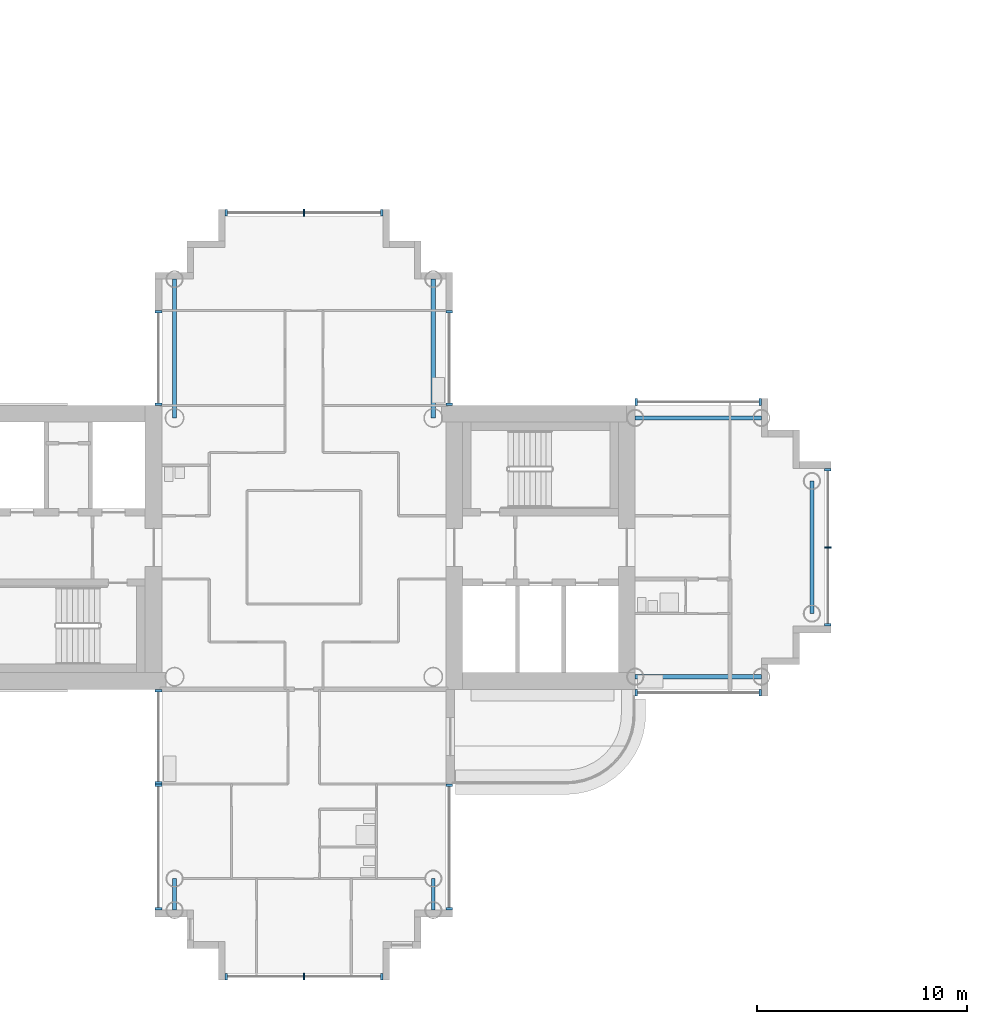
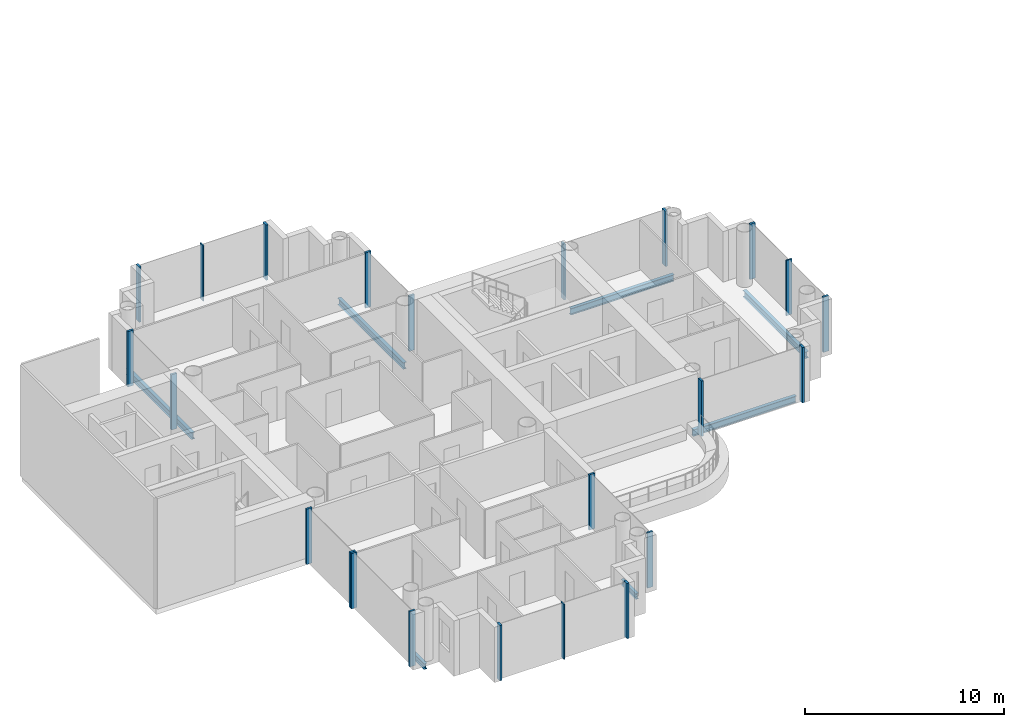
# One storey, part 3 of 19: 23 members, 7 beams, 10 elements without a shape of their own.
"""IFC4 building model written with IfcOpenShell, lengths in metres."""

from ifc_helpers import new_model, si_unit, direction, frame, origin, origin_2d, place, context, subcontext, project, spatial, rectangle, i_section, extrude, material, layer, layer_set, material_profile, profile_set, type_object, element, aggregate, save


model = new_model("IFC4")

# Units and contexts
model_context = context("Model", 3, precision=1e-05, world=origin(), true_north=direction((0.0, 1.0)))
body_context = subcontext(model_context, "Body", "Model", "MODEL_VIEW")
ifc_project = project(units=[si_unit("LENGTHUNIT", "METRE"), si_unit("AREAUNIT", "SQUARE_METRE"), si_unit("VOLUMEUNIT", "CUBIC_METRE"), si_unit("PLANEANGLEUNIT", "RADIAN"), si_unit("MASSUNIT", "GRAM", prefix="KILO")], contexts=[model_context])

# Site, building, storey
site_placement = place(None, origin())
site = spatial("IfcSite", under=ifc_project, at=site_placement, CompositionType="ELEMENT")
building_placement = place(site_placement, origin())
building = spatial("IfcBuilding", under=site, at=building_placement, Name="Ipe Terrace Towers", CompositionType="ELEMENT")
storey_placement = place(building_placement, frame((0.0, 0.0, 140.5)))
storey = spatial("IfcBuildingStorey", under=building, at=storey_placement, Name="L38", CompositionType="ELEMENT", Elevation=140.5)

# Beams
ifc_material_1 = material(Name="Steel S355", Category="steel")
ifc_material_profile_1 = material_profile(ifc_material_1, i_section(OverallWidth=0.175048828125, OverallDepth=0.35009765625, WebThickness=0.007080078125, FlangeThickness=0.010986328125, at=origin_2d()), Name="H-350x175x7x11")
ifc_profile_set_1 = profile_set([ifc_material_profile_1], Name="Steel S355")
beam_type_1 = type_object("IfcBeamType", Name="H04 EDGE BEAM H-350x175x7x11", PredefinedType="BEAM", material=ifc_profile_set_1)
for number, where, z_axis, x_axis, name in (
    (1, (-42.14990234375, -15.75, -0.574951171875), (0.0, -1.0, 0.0), (1.0, 0.0, 0.0), "Edge beam T1-EB-D03-D05"),
    (2, (-29.85009765625, -15.75, -0.574951171875), (0.0, -1.0, 0.0), (1.0, 0.0, 0.0), "Edge beam T1-EB-D04-D06"),
):
    element("IfcBeam", number, at=place(storey_placement, frame(where, z_axis=z_axis, x_axis=x_axis)), inside=storey, type_object=beam_type_1, Name=name, PredefinedType="BEAM", context=body_context, shape_type="SweptSolid", body=[
        extrude(i_section(OverallWidth=0.175048828125, OverallDepth=0.35009765625, WebThickness=0.007080078125, FlangeThickness=0.010986328125, at=origin_2d()), origin(), (0.0, 0.0, 1.0), 1.5),
    ])
ifc_material_2 = material(Name="Steel S355", Category="steel")
ifc_material_profile_2 = material_profile(ifc_material_2, i_section(OverallWidth=0.199951171875, OverallDepth=0.39990234375, WebThickness=0.008056640625, FlangeThickness=0.012939453125, at=origin_2d()), Name="H-400x200x8x13")
ifc_profile_set_2 = profile_set([ifc_material_profile_2], Name="Steel S355")
beam_type_2 = type_object("IfcBeamType", Name="H06 EDGE BEAM H-400x200x8x13", PredefinedType="BEAM", material=ifc_profile_set_2)
for number, where, z_axis, x_axis, name in (
    (3, (-20.25, -6.14990234375, -0.60009765625), (1.0, 0.0, 0.0), (0.0, 1.0, 0.0), "Edge beam T1-EB-A01-A03"),
    (4, (-20.25, 6.14990234375, -0.60009765625), (1.0, 0.0, 0.0), (0.0, 1.0, 0.0), "Edge beam T1-EB-A02-A04"),
):
    element("IfcBeam", number, at=place(storey_placement, frame(where, z_axis=z_axis, x_axis=x_axis)), inside=storey, type_object=beam_type_2, Name=name, PredefinedType="BEAM", context=body_context, shape_type="SweptSolid", body=[
        extrude(i_section(OverallWidth=0.199951171875, OverallDepth=0.39990234375, WebThickness=0.008056640625, FlangeThickness=0.012939453125, at=origin_2d()), origin(), (0.0, 0.0, 1.0), 6.0),
    ])
beam_placement = place(storey_placement, frame((-11.85009765625, -3.14990234375, -0.60009765625), z_axis=(0.0, 1.0, 0.0), x_axis=(-1.0, 0.0, 0.0)))
element("IfcBeam", 5, at=beam_placement, inside=storey, type_object=beam_type_2, Name="Edge beam T1-EB-A05-A06", PredefinedType="BEAM", context=body_context, shape_type="SweptSolid", body=[
    extrude(i_section(OverallWidth=0.199951171875, OverallDepth=0.39990234375, WebThickness=0.008056640625, FlangeThickness=0.012939453125, at=origin_2d()), origin(), (0.0, 0.0, 1.0), 6.2998046875),
])
for number, where, z_axis, x_axis, name in (
    (6, (-29.85009765625, 12.75, -0.60009765625), (0.0, -1.0, 0.0), (1.0, 0.0, 0.0), "Edge beam T1-EB-B01-E03"),
    (7, (-42.14990234375, 12.75, -0.60009765625), (0.0, -1.0, 0.0), (1.0, 0.0, 0.0), "Edge beam T1-EB-B02-E04"),
):
    element("IfcBeam", number, at=place(storey_placement, frame(where, z_axis=z_axis, x_axis=x_axis)), inside=storey, type_object=beam_type_2, Name=name, PredefinedType="BEAM", context=body_context, shape_type="SweptSolid", body=[
        extrude(i_section(OverallWidth=0.199951171875, OverallDepth=0.39990234375, WebThickness=0.008056640625, FlangeThickness=0.012939453125, at=origin_2d()), origin(), (0.0, 0.0, 1.0), 6.60009765625),
    ])

# Curtain wall, members
ifc_material_3 = material(Name="Aluminium alloy 6063-T6", Category="aluminium")
ifc_layer = layer(ifc_material_3, 0.320068359375)
ifc_layer_set = layer_set([ifc_layer], Name="TOWER UNITISED CURTAIN WALL")
curtain_wall_type = type_object("IfcCurtainWallType", Name="TOWER UNITISED CURTAIN WALL", PredefinedType="NOTDEFINED", material=ifc_layer_set)
curtain_wall_1_placement = place(storey_placement, origin())
curtain_wall_1 = element("IfcCurtainWall", 8, at=curtain_wall_1_placement, inside=storey, type_object=curtain_wall_type, Name="T1-CW-L38-02a curtain wall", PredefinedType="NOTDEFINED")
ifc_material_4 = material(Name="Aluminium alloy 6063-T6", Category="aluminium")
ifc_material_profile_3 = material_profile(ifc_material_4, rectangle(XDim=0.320068359375, YDim=0.1201171875, at=origin_2d()), Name="TOWER UNITISED CORNER MULLION 320 x 120")
ifc_profile_set_3 = profile_set([ifc_material_profile_3], Name="Aluminium alloy 6063-T6")
member_type_1 = type_object("IfcMemberType", Name="TOWER UNITISED CORNER MULLION 320 x 120", PredefinedType="MULLION", material=ifc_profile_set_3)
member_1_placement = place(storey_placement, frame((-42.909912109375, -6.81005859375, -0.300048828125), z_axis=(0.0, 0.0, 1.0), x_axis=(-1.0, 0.0, 0.0)))
member_1 = element("IfcMember", 9, at=member_1_placement, type_object=member_type_1, Name="T1-CW-L38-02a mullion 1", PredefinedType="MULLION", context=body_context, shape_type="SweptSolid", body=[
    extrude(rectangle(XDim=0.320068359375, YDim=0.1201171875, at=origin_2d()), origin(), (0.0, 0.0, 1.0), 3.400146484375),
])
member_2_placement = place(storey_placement, frame((-42.909912109375, -11.18994140625, -0.300048828125), z_axis=(0.0, 0.0, 1.0), x_axis=(-1.0, 0.0, 0.0)))
member_2 = element("IfcMember", 10, at=member_2_placement, type_object=member_type_1, Name="T1-CW-L38-02a mullion 2", PredefinedType="MULLION", context=body_context, shape_type="SweptSolid", body=[
    extrude(rectangle(XDim=0.320068359375, YDim=0.1201171875, at=origin_2d()), origin(), (0.0, 0.0, 1.0), 3.400146484375),
])
aggregate(curtain_wall_1, [member_1, member_2])

curtain_wall_2_placement = place(storey_placement, origin())
curtain_wall_2 = element("IfcCurtainWall", 11, at=curtain_wall_2_placement, inside=storey, type_object=curtain_wall_type, Name="T1-CW-L38-03a curtain wall", PredefinedType="NOTDEFINED")
member_3_placement = place(storey_placement, frame((-42.909912109375, -11.31005859375, -0.300048828125), z_axis=(0.0, 0.0, 1.0), x_axis=(-1.0, 0.0, 0.0)))
member_3 = element("IfcMember", 12, at=member_3_placement, type_object=member_type_1, Name="T1-CW-L38-03a mullion 1", PredefinedType="MULLION", context=body_context, shape_type="SweptSolid", body=[
    extrude(rectangle(XDim=0.320068359375, YDim=0.1201171875, at=origin_2d()), origin(), (0.0, 0.0, 1.0), 3.400146484375),
])
member_4_placement = place(storey_placement, frame((-42.909912109375, -17.18994140625, -0.300048828125), z_axis=(0.0, 0.0, 1.0), x_axis=(-1.0, 0.0, 0.0)))
member_4 = element("IfcMember", 13, at=member_4_placement, type_object=member_type_1, Name="T1-CW-L38-03a mullion 2", PredefinedType="MULLION", context=body_context, shape_type="SweptSolid", body=[
    extrude(rectangle(XDim=0.320068359375, YDim=0.1201171875, at=origin_2d()), origin(), (0.0, 0.0, 1.0), 3.400146484375),
])
aggregate(curtain_wall_2, [member_3, member_4])

curtain_wall_3_placement = place(storey_placement, origin())
curtain_wall_3 = element("IfcCurtainWall", 14, at=curtain_wall_3_placement, inside=storey, type_object=curtain_wall_type, Name="T1-CW-L38-08a curtain wall", PredefinedType="NOTDEFINED")
member_5_placement = place(storey_placement, frame((-39.68994140625, -20.409912109375, -0.300048828125), z_axis=(0.0, 0.0, 1.0), x_axis=(0.0, -1.0, 0.0)))
member_5 = element("IfcMember", 15, at=member_5_placement, type_object=member_type_1, Name="T1-CW-L38-08a mullion 1", PredefinedType="MULLION", context=body_context, shape_type="SweptSolid", body=[
    extrude(rectangle(XDim=0.320068359375, YDim=0.1201171875, at=origin_2d()), origin(), (0.0, 0.0, 1.0), 3.400146484375),
])
member_6_placement = place(storey_placement, frame((-32.31005859375, -20.409912109375, -0.300048828125), z_axis=(0.0, 0.0, 1.0), x_axis=(0.0, -1.0, 0.0)))
member_6 = element("IfcMember", 16, at=member_6_placement, type_object=member_type_1, Name="T1-CW-L38-08a mullion 3", PredefinedType="MULLION", context=body_context, shape_type="SweptSolid", body=[
    extrude(rectangle(XDim=0.320068359375, YDim=0.1201171875, at=origin_2d()), origin(), (0.0, 0.0, 1.0), 3.400146484375),
])

curtain_wall_4_placement = place(storey_placement, origin())
curtain_wall_4 = element("IfcCurtainWall", 17, at=curtain_wall_4_placement, inside=storey, type_object=curtain_wall_type, Name="T1-CW-L38-13a curtain wall", PredefinedType="NOTDEFINED")
member_7_placement = place(storey_placement, frame((-29.090087890625, -17.18994140625, -0.300048828125), z_axis=(0.0, 0.0, 1.0), x_axis=(1.0, 0.0, 0.0)))
member_7 = element("IfcMember", 18, at=member_7_placement, type_object=member_type_1, Name="T1-CW-L38-13a mullion 1", PredefinedType="MULLION", context=body_context, shape_type="SweptSolid", body=[
    extrude(rectangle(XDim=0.320068359375, YDim=0.1201171875, at=origin_2d()), origin(), (0.0, 0.0, 1.0), 3.400146484375),
])
member_8_placement = place(storey_placement, frame((-29.090087890625, -11.31005859375, -0.300048828125), z_axis=(0.0, 0.0, 1.0), x_axis=(1.0, 0.0, 0.0)))
member_8 = element("IfcMember", 19, at=member_8_placement, type_object=member_type_1, Name="T1-CW-L38-13a mullion 2", PredefinedType="MULLION", context=body_context, shape_type="SweptSolid", body=[
    extrude(rectangle(XDim=0.320068359375, YDim=0.1201171875, at=origin_2d()), origin(), (0.0, 0.0, 1.0), 3.400146484375),
])
aggregate(curtain_wall_4, [member_7, member_8])

curtain_wall_5_placement = place(storey_placement, origin())
curtain_wall_5 = element("IfcCurtainWall", 20, at=curtain_wall_5_placement, inside=storey, type_object=curtain_wall_type, Name="T1-CW-L38-16b curtain wall", PredefinedType="NOTDEFINED")
member_9_placement = place(storey_placement, frame((-20.18896484375, -6.909912109375, -0.300048828125), z_axis=(0.0, 0.0, 1.0), x_axis=(0.0, -1.0, 0.0)))
member_9 = element("IfcMember", 21, at=member_9_placement, type_object=member_type_1, Name="T1-CW-L38-16b mullion 1", PredefinedType="MULLION", context=body_context, shape_type="SweptSolid", body=[
    extrude(rectangle(XDim=0.320068359375, YDim=0.1201171875, at=origin_2d()), origin(), (0.0, 0.0, 1.0), 3.400146484375),
])
member_10_placement = place(storey_placement, frame((-14.31005859375, -6.909912109375, -0.300048828125), z_axis=(0.0, 0.0, 1.0), x_axis=(0.0, -1.0, 0.0)))
member_10 = element("IfcMember", 22, at=member_10_placement, type_object=member_type_1, Name="T1-CW-L38-16b mullion 2", PredefinedType="MULLION", context=body_context, shape_type="SweptSolid", body=[
    extrude(rectangle(XDim=0.320068359375, YDim=0.1201171875, at=origin_2d()), origin(), (0.0, 0.0, 1.0), 3.400146484375),
])
aggregate(curtain_wall_5, [member_9, member_10])

curtain_wall_6_placement = place(storey_placement, origin())
curtain_wall_6 = element("IfcCurtainWall", 23, at=curtain_wall_6_placement, inside=storey, type_object=curtain_wall_type, Name="T1-CW-L38-21a curtain wall", PredefinedType="NOTDEFINED")
member_11_placement = place(storey_placement, frame((-11.090087890625, -3.68994140625, -0.300048828125), z_axis=(0.0, 0.0, 1.0), x_axis=(1.0, 0.0, 0.0)))
member_11 = element("IfcMember", 24, at=member_11_placement, type_object=member_type_1, Name="T1-CW-L38-21a mullion 1", PredefinedType="MULLION", context=body_context, shape_type="SweptSolid", body=[
    extrude(rectangle(XDim=0.320068359375, YDim=0.1201171875, at=origin_2d()), origin(), (0.0, 0.0, 1.0), 3.400146484375),
])
member_12_placement = place(storey_placement, frame((-11.090087890625, 3.68994140625, -0.300048828125), z_axis=(0.0, 0.0, 1.0), x_axis=(1.0, 0.0, 0.0)))
member_12 = element("IfcMember", 25, at=member_12_placement, type_object=member_type_1, Name="T1-CW-L38-21a mullion 3", PredefinedType="MULLION", context=body_context, shape_type="SweptSolid", body=[
    extrude(rectangle(XDim=0.320068359375, YDim=0.1201171875, at=origin_2d()), origin(), (0.0, 0.0, 1.0), 3.400146484375),
])

curtain_wall_7_placement = place(storey_placement, origin())
curtain_wall_7 = element("IfcCurtainWall", 26, at=curtain_wall_7_placement, inside=storey, type_object=curtain_wall_type, Name="T1-CW-L38-26a curtain wall", PredefinedType="NOTDEFINED")
member_13_placement = place(storey_placement, frame((-14.31005859375, 6.909912109375, -0.300048828125), z_axis=(0.0, 0.0, 1.0), x_axis=(0.0, 1.0, 0.0)))
member_13 = element("IfcMember", 27, at=member_13_placement, type_object=member_type_1, Name="T1-CW-L38-26a mullion 1", PredefinedType="MULLION", context=body_context, shape_type="SweptSolid", body=[
    extrude(rectangle(XDim=0.320068359375, YDim=0.1201171875, at=origin_2d()), origin(), (0.0, 0.0, 1.0), 3.400146484375),
])
member_14_placement = place(storey_placement, frame((-20.18896484375, 6.909912109375, -0.300048828125), z_axis=(0.0, 0.0, 1.0), x_axis=(0.0, 1.0, 0.0)))
member_14 = element("IfcMember", 28, at=member_14_placement, type_object=member_type_1, Name="T1-CW-L38-26a mullion 2", PredefinedType="MULLION", context=body_context, shape_type="SweptSolid", body=[
    extrude(rectangle(XDim=0.320068359375, YDim=0.1201171875, at=origin_2d()), origin(), (0.0, 0.0, 1.0), 3.400146484375),
])
aggregate(curtain_wall_7, [member_13, member_14])

curtain_wall_8_placement = place(storey_placement, origin())
curtain_wall_8 = element("IfcCurtainWall", 29, at=curtain_wall_8_placement, inside=storey, type_object=curtain_wall_type, Name="T1-CW-L38-28a curtain wall", PredefinedType="NOTDEFINED")
member_15_placement = place(storey_placement, frame((-29.090087890625, 6.81005859375, -0.300048828125), z_axis=(0.0, 0.0, 1.0), x_axis=(1.0, 0.0, 0.0)))
member_15 = element("IfcMember", 30, at=member_15_placement, type_object=member_type_1, Name="T1-CW-L38-28a mullion 1", PredefinedType="MULLION", context=body_context, shape_type="SweptSolid", body=[
    extrude(rectangle(XDim=0.320068359375, YDim=0.1201171875, at=origin_2d()), origin(), (0.0, 0.0, 1.0), 3.400146484375),
])
member_16_placement = place(storey_placement, frame((-29.090087890625, 11.18994140625, -0.300048828125), z_axis=(0.0, 0.0, 1.0), x_axis=(1.0, 0.0, 0.0)))
member_16 = element("IfcMember", 31, at=member_16_placement, type_object=member_type_1, Name="T1-CW-L38-28a mullion 2", PredefinedType="MULLION", context=body_context, shape_type="SweptSolid", body=[
    extrude(rectangle(XDim=0.320068359375, YDim=0.1201171875, at=origin_2d()), origin(), (0.0, 0.0, 1.0), 3.400146484375),
])
aggregate(curtain_wall_8, [member_15, member_16])

curtain_wall_9_placement = place(storey_placement, origin())
curtain_wall_9 = element("IfcCurtainWall", 32, at=curtain_wall_9_placement, inside=storey, type_object=curtain_wall_type, Name="T1-CW-L38-34a curtain wall", PredefinedType="NOTDEFINED")
member_17_placement = place(storey_placement, frame((-32.31005859375, 15.909912109375, -0.300048828125), z_axis=(0.0, 0.0, 1.0), x_axis=(0.0, 1.0, 0.0)))
member_17 = element("IfcMember", 33, at=member_17_placement, type_object=member_type_1, Name="T1-CW-L38-34a mullion 1", PredefinedType="MULLION", context=body_context, shape_type="SweptSolid", body=[
    extrude(rectangle(XDim=0.320068359375, YDim=0.1201171875, at=origin_2d()), origin(), (0.0, 0.0, 1.0), 3.400146484375),
])
member_18_placement = place(storey_placement, frame((-39.68994140625, 15.909912109375, -0.300048828125), z_axis=(0.0, 0.0, 1.0), x_axis=(0.0, 1.0, 0.0)))
member_18 = element("IfcMember", 34, at=member_18_placement, type_object=member_type_1, Name="T1-CW-L38-34a mullion 3", PredefinedType="MULLION", context=body_context, shape_type="SweptSolid", body=[
    extrude(rectangle(XDim=0.320068359375, YDim=0.1201171875, at=origin_2d()), origin(), (0.0, 0.0, 1.0), 3.400146484375),
])

curtain_wall_10_placement = place(storey_placement, origin())
curtain_wall_10 = element("IfcCurtainWall", 35, at=curtain_wall_10_placement, inside=storey, type_object=curtain_wall_type, Name="T1-CW-L38-40a curtain wall", PredefinedType="NOTDEFINED")
member_19_placement = place(storey_placement, frame((-42.909912109375, 11.18994140625, -0.300048828125), z_axis=(0.0, 0.0, 1.0), x_axis=(-1.0, 0.0, 0.0)))
member_19 = element("IfcMember", 36, at=member_19_placement, type_object=member_type_1, Name="T1-CW-L38-40a mullion 1", PredefinedType="MULLION", context=body_context, shape_type="SweptSolid", body=[
    extrude(rectangle(XDim=0.320068359375, YDim=0.1201171875, at=origin_2d()), origin(), (0.0, 0.0, 1.0), 3.400146484375),
])
member_20_placement = place(storey_placement, frame((-42.909912109375, 6.81005859375, -0.300048828125), z_axis=(0.0, 0.0, 1.0), x_axis=(-1.0, 0.0, 0.0)))
member_20 = element("IfcMember", 37, at=member_20_placement, type_object=member_type_1, Name="T1-CW-L38-40a mullion 2", PredefinedType="MULLION", context=body_context, shape_type="SweptSolid", body=[
    extrude(rectangle(XDim=0.320068359375, YDim=0.1201171875, at=origin_2d()), origin(), (0.0, 0.0, 1.0), 3.400146484375),
])
aggregate(curtain_wall_10, [member_19, member_20])

# Member
ifc_material_5 = material(Name="Aluminium alloy 6063-T6", Category="aluminium")
ifc_material_profile_4 = material_profile(ifc_material_5, rectangle(XDim=0.320068359375, YDim=0.06494140625, at=origin_2d()), Name="TOWER UNITISED MULLION 320 x 65")
ifc_profile_set_4 = profile_set([ifc_material_profile_4], Name="Aluminium alloy 6063-T6")
member_type_2 = type_object("IfcMemberType", Name="TOWER UNITISED MULLION 320 x 65", PredefinedType="MULLION", material=ifc_profile_set_4)
member_21_placement = place(storey_placement, frame((-36.0, -20.409912109375, -0.300048828125), z_axis=(0.0, 0.0, 1.0), x_axis=(0.0, -1.0, 0.0)))
member_21 = element("IfcMember", 38, at=member_21_placement, type_object=member_type_2, Name="T1-CW-L38-08a mullion 2", PredefinedType="MULLION", context=body_context, shape_type="SweptSolid", body=[
    extrude(rectangle(XDim=0.320068359375, YDim=0.06494140625, at=origin_2d()), origin(), (0.0, 0.0, 1.0), 3.400146484375),
])

aggregate(curtain_wall_3, [member_5, member_21, member_6])

member_22_placement = place(storey_placement, frame((-11.090087890625, 0.0, -0.300048828125), z_axis=(0.0, 0.0, 1.0), x_axis=(1.0, 0.0, 0.0)))
member_22 = element("IfcMember", 39, at=member_22_placement, type_object=member_type_2, Name="T1-CW-L38-21a mullion 2", PredefinedType="MULLION", context=body_context, shape_type="SweptSolid", body=[
    extrude(rectangle(XDim=0.320068359375, YDim=0.06494140625, at=origin_2d()), origin(), (0.0, 0.0, 1.0), 3.400146484375),
])

aggregate(curtain_wall_6, [member_11, member_22, member_12])

member_23_placement = place(storey_placement, frame((-36.0, 15.909912109375, -0.300048828125), z_axis=(0.0, 0.0, 1.0), x_axis=(0.0, 1.0, 0.0)))
member_23 = element("IfcMember", 40, at=member_23_placement, type_object=member_type_2, Name="T1-CW-L38-34a mullion 2", PredefinedType="MULLION", context=body_context, shape_type="SweptSolid", body=[
    extrude(rectangle(XDim=0.320068359375, YDim=0.06494140625, at=origin_2d()), origin(), (0.0, 0.0, 1.0), 3.400146484375),
])

aggregate(curtain_wall_9, [member_17, member_23, member_18])

save(model, "model.ifc")
